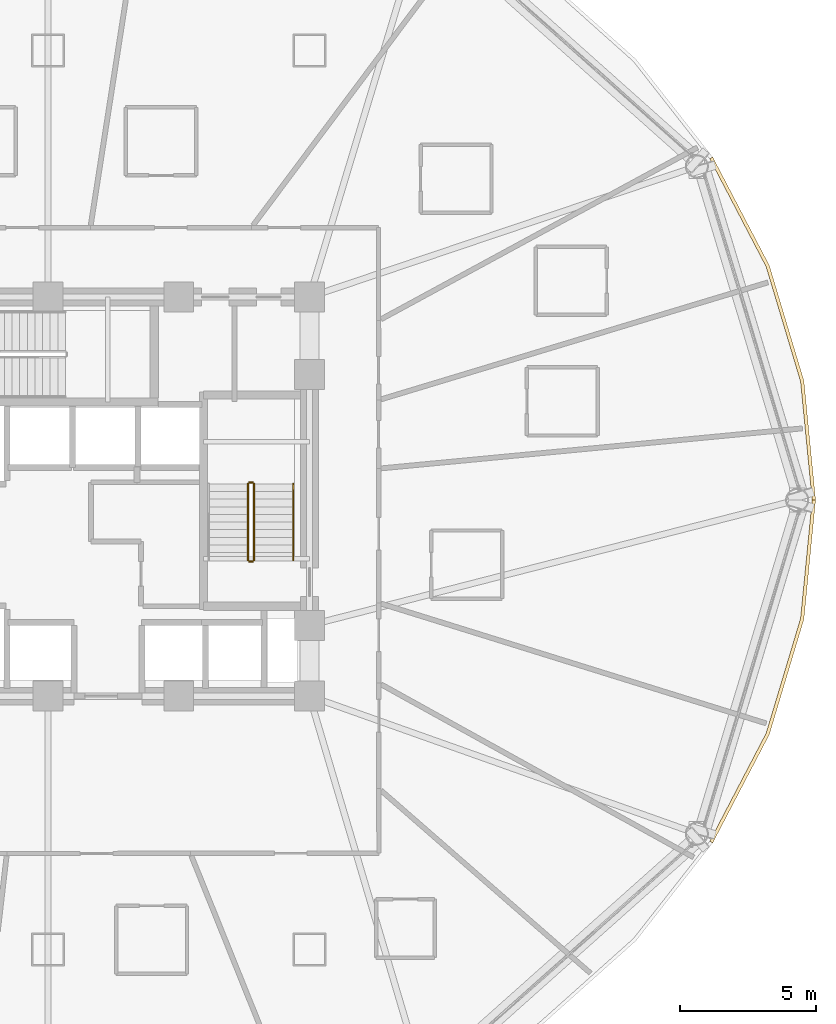
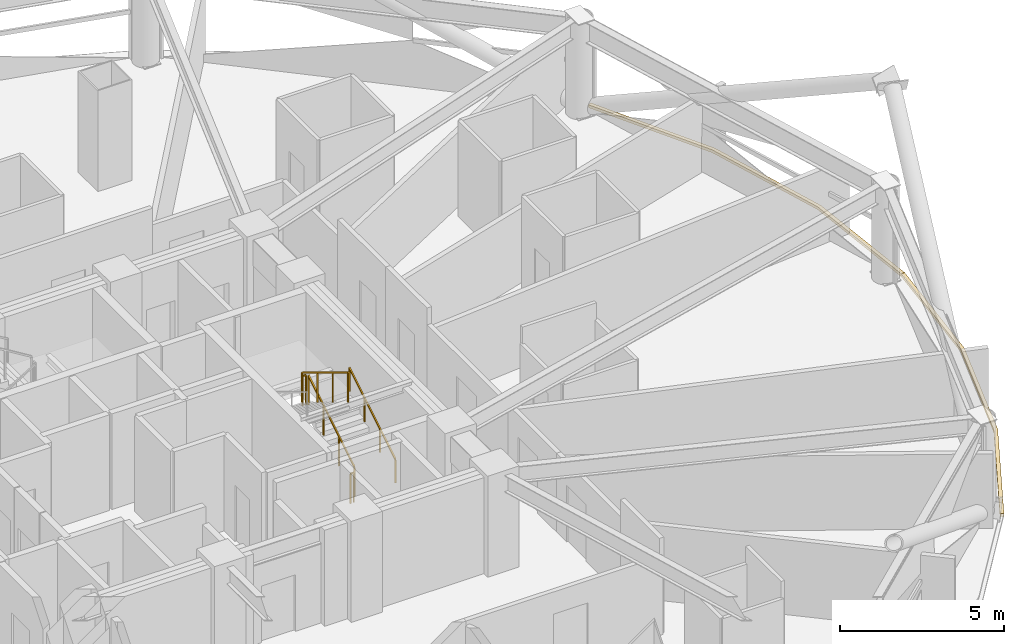
# One storey, part 29 of 30: 5 railings, 2 coverings.
"""IFC4 building model written with IfcOpenShell, lengths in metres."""

import ifcopenshell
import ifcopenshell.guid

model = None  # the IFC model being written
_history = None  # IfcOwnerHistory: only IFC2X3 demands one
_inside = {}  # id of a spatial element -> (the spatial element, [elements in it])
_under = {}  # id of a project, library or spatial element -> (it, [spatial elements below it])
_declared = {}  # id of a project -> (the project, [libraries it declares])
_typed = {}  # id of a type object -> (the type object, [elements of that type])
_made_of = {}  # id of a material, layer set ... -> (it, [elements and type objects made of it])


def new_model(schema):
    """Start an empty IFC model of exactly this schema.

    Asked for "IFC4X3", IfcOpenShell would pick the latest addendum, in which some entities
    have other attributes; the version numbers below select the first issue.
    IFC2X3 requires an IfcOwnerHistory on every rooted entity: one is made here for all.
    """
    global model, _history
    if schema == "IFC4X3":
        model = ifcopenshell.file(schema_version=(4, 3, 0, 0))
    else:
        model = ifcopenshell.file(schema=schema)
    _inside.clear()
    _under.clear()
    _declared.clear()
    _typed.clear()
    _made_of.clear()
    _history = None
    if model.schema == "IFC2X3":
        org = make("IfcOrganization", Name="unknown")
        user = make(
            "IfcPersonAndOrganization",
            ThePerson=make("IfcPerson", FamilyName="unknown"),
            TheOrganization=org,
        )
        app = make(
            "IfcApplication",
            ApplicationDeveloper=org,
            Version="unknown",
            ApplicationFullName="unknown",
            ApplicationIdentifier="unknown",
        )
        _history = make(
            "IfcOwnerHistory",
            OwningUser=user,
            OwningApplication=app,
            ChangeAction="ADDED",
            CreationDate=0,
        )
    return model


def make(cls, **values):
    """One entity of the class cls with the attributes given. An attribute that is None is left unset."""
    return model.create_entity(
        cls, **{name: value for name, value in values.items() if value is not None}
    )


def rooted(cls, **values):
    """An entity with a GlobalId (a new one), such as an element, a storey or a relation."""
    return make(cls, GlobalId=ifcopenshell.guid.new(), OwnerHistory=_history, **values)


def si_unit(unit_type, name, prefix=None):
    """IfcSIUnit, for example si_unit("LENGTHUNIT", "METRE", prefix="MILLI")."""
    return make("IfcSIUnit", UnitType=unit_type, Prefix=prefix, Name=name)


def assignment(units):
    """IfcUnitAssignment: the units of a project."""
    return None if units is None else make("IfcUnitAssignment", Units=units)


def point(xyz):
    """IfcCartesianPoint."""
    return None if xyz is None else make("IfcCartesianPoint", Coordinates=xyz)


def direction(xyz):
    """IfcDirection."""
    return None if xyz is None else make("IfcDirection", DirectionRatios=xyz)


def frame(location, z_axis=None, x_axis=None):
    """IfcAxis2Placement3D, a coordinate frame: its origin and axes. An axis left out is left unset."""
    return make(
        "IfcAxis2Placement3D",
        Location=point(location),
        Axis=direction(z_axis),
        RefDirection=direction(x_axis),
    )


def frame_2d(location, x_axis=None):
    """IfcAxis2Placement2D, a coordinate frame in the plane: its origin and x axis."""
    return make(
        "IfcAxis2Placement2D", Location=point(location), RefDirection=direction(x_axis)
    )


def origin():
    """The frame at (0, 0, 0) with its axes left unset."""
    return frame((0.0, 0.0, 0.0))


def origin_2d():
    """The frame at (0, 0) in the plane with its x axis left unset."""
    return frame_2d((0.0, 0.0))


def place(relative_to, where):
    """IfcLocalPlacement: puts the frame where relative to a parent placement (None: the world)."""
    return make(
        "IfcLocalPlacement", PlacementRelTo=relative_to, RelativePlacement=where
    )


def context(
    kind, dimensions, precision=None, world=None, true_north=None, identifier=None
):
    """IfcGeometricRepresentationContext, for example the 3D "Model" context."""
    return make(
        "IfcGeometricRepresentationContext",
        ContextIdentifier=identifier,
        ContextType=kind,
        CoordinateSpaceDimension=dimensions,
        Precision=precision,
        WorldCoordinateSystem=world,
        TrueNorth=true_north,
    )


def subcontext(parent, identifier, kind, view, scale=None):
    """IfcGeometricRepresentationSubContext, for example "Body" below "Model"."""
    return make(
        "IfcGeometricRepresentationSubContext",
        ContextIdentifier=identifier,
        ContextType=kind,
        ParentContext=parent,
        TargetScale=scale,
        TargetView=view,
    )


def project(units=None, contexts=None):
    """IfcProject with its units and contexts."""
    return rooted(
        "IfcProject",
        Name="project",
        RepresentationContexts=contexts,
        UnitsInContext=assignment(units),
    )


def spatial(cls, under=None, at=None, **own):
    """A site, building, storey or space (cls), placed at a placement, below another one or the project."""
    s = rooted(cls, ObjectPlacement=at, **own)
    if under is not None:
        _under.setdefault(under.id(), (under, []))[1].append(s)
    return s


def polyline(points):
    """IfcPolyline through the points."""
    return make("IfcPolyline", Points=[point(p) for p in points])


def profile(cls, at=None, kind="AREA", **sizes):
    """A parametric profile (cls). Its sizes go by their IFC names, for example OverallWidth=200.0."""
    return make(cls, ProfileType=kind, Position=at, **sizes)


def rectangle(**sizes):
    """IfcRectangleProfileDef."""
    return profile("IfcRectangleProfileDef", **sizes)


def outline(outer, holes=None, kind="AREA"):
    """IfcArbitraryClosedProfileDef: a profile drawn as a closed curve; with holes, ...WithVoids."""
    if holes is None:
        return make("IfcArbitraryClosedProfileDef", ProfileType=kind, OuterCurve=outer)
    return make(
        "IfcArbitraryProfileDefWithVoids",
        ProfileType=kind,
        OuterCurve=outer,
        InnerCurves=holes,
    )


def extrude(swept, where, along, depth):
    """IfcExtrudedAreaSolid: the profile swept, set in the frame where, extruded along a direction by depth."""
    return make(
        "IfcExtrudedAreaSolid",
        SweptArea=swept,
        Position=where,
        ExtrudedDirection=direction(along),
        Depth=depth,
    )


def shape(context_of_items, identifier, shape_type, items):
    """IfcShapeRepresentation: the items that make up one representation, for example the "Body"."""
    return make(
        "IfcShapeRepresentation",
        ContextOfItems=context_of_items,
        RepresentationIdentifier=identifier,
        RepresentationType=shape_type,
        Items=items,
    )


def material(Name=None, Category=None):
    """IfcMaterial."""
    return make("IfcMaterial", Name=Name, Category=Category)


def layer(
    of_material, thickness, ventilated=None, Name=None, Category=None, Priority=None
):
    """IfcMaterialLayer: one layer of a wall or slab, of a material (None: an air gap)."""
    return make(
        "IfcMaterialLayer",
        Material=of_material,
        LayerThickness=thickness,
        IsVentilated=ventilated,
        Name=Name,
        Category=Category,
        Priority=Priority,
    )


def layer_set(layers, Name=None):
    """IfcMaterialLayerSet."""
    return make("IfcMaterialLayerSet", MaterialLayers=layers, LayerSetName=Name)


def made_of(thing, what):
    """Note that an element or type object is made of a material, layer set ...; save() writes the relation."""
    if what is not None:
        _made_of.setdefault(what.id(), (what, []))[1].append(thing)
    return thing


def type_object(cls, material=None, **own):
    """A type object (cls), such as IfcWallType, which elements share."""
    return made_of(rooted(cls, **own), material)


def element(
    cls,
    number,
    at=None,
    inside=None,
    cuts=None,
    type_object=None,
    material=None,
    context=None,
    identifier="Body",
    shape_type=None,
    held_by="IfcProductDefinitionShape",
    body=None,
    shapes=None,
    **own,
):
    """One element of the class cls, such as IfcWall. Its Tag is "e" and its number.

    at: its placement. inside: the storey or other place that contains it. cuts: it is an
    opening in that element (IfcRelVoidsElement). A single representation is given by context,
    identifier, shape_type and body (its items); several are given by shapes. held_by: the class
    of the entity that holds the representations. save() writes the other relations.
    """
    e = rooted(cls, Tag="e%d" % number, ObjectPlacement=at, **own)
    if body is not None:
        shapes = [shape(context, identifier, shape_type, body)]
    if shapes is not None:
        e.Representation = make(held_by, Representations=shapes)
    if inside is not None:
        _inside.setdefault(inside.id(), (inside, []))[1].append(e)
    if cuts is not None:
        rooted(
            "IfcRelVoidsElement", RelatingBuildingElement=cuts, RelatedOpeningElement=e
        )
    if type_object is not None:
        _typed.setdefault(type_object.id(), (type_object, []))[1].append(e)
    return made_of(e, material)


def aggregate(whole, parts):
    """IfcRelAggregates: a whole, such as a stair, and the parts it consists of."""
    return rooted("IfcRelAggregates", RelatingObject=whole, RelatedObjects=parts)


def save(model, path):
    """Write the relations noted so far, then the file.

    IfcRelAggregates (storeys below a building ...), IfcRelContainedInSpatialStructure (elements
    in a storey), IfcRelDefinesByType, IfcRelAssociatesMaterial and IfcRelDeclares: one each for
    every whole, place, type object, material and project.
    """
    for whole, parts in _under.values():
        aggregate(whole, parts)
    for where, things in _inside.values():
        rooted(
            "IfcRelContainedInSpatialStructure",
            RelatedElements=things,
            RelatingStructure=where,
        )
    for kind, things in _typed.values():
        rooted("IfcRelDefinesByType", RelatedObjects=things, RelatingType=kind)
    for what, things in _made_of.values():
        rooted("IfcRelAssociatesMaterial", RelatedObjects=things, RelatingMaterial=what)
    for by, libraries in _declared.values():
        rooted("IfcRelDeclares", RelatingContext=by, RelatedDefinitions=libraries)
    model.write(path)


model = new_model("IFC4")

# Units and contexts
model_context = context("Model", 3, precision=1e-05, world=origin(), true_north=direction((0.0, 1.0)))
body_context = subcontext(model_context, "Body", "Model", "MODEL_VIEW")
ifc_project = project(units=[si_unit("LENGTHUNIT", "METRE"), si_unit("AREAUNIT", "SQUARE_METRE"), si_unit("VOLUMEUNIT", "CUBIC_METRE"), si_unit("PLANEANGLEUNIT", "RADIAN"), si_unit("MASSUNIT", "GRAM", prefix="KILO")], contexts=[model_context])

# Site, building, storey
site_placement = place(None, origin())
site = spatial("IfcSite", under=ifc_project, at=site_placement, CompositionType="ELEMENT")
building_placement = place(site_placement, origin())
building = spatial("IfcBuilding", under=site, at=building_placement, Name="Vantalir Tower", CompositionType="ELEMENT")
storey_placement = place(building_placement, frame((0.0, 0.0, 79.5)))
storey = spatial("IfcBuildingStorey", under=building, at=storey_placement, Name="L19", CompositionType="ELEMENT", Elevation=79.5)

# Coverings
ifc_material_1 = material(Name="Anodised champagne aluminium sill fascia", Category="aluminium")
ifc_layer = layer(ifc_material_1, 0.125)
ifc_layer_set = layer_set([ifc_layer], Name="Anodised champagne aluminium sill fascia")
covering_type = type_object("IfcCoveringType", Name="COV-SLAB-FASCIA-125", PredefinedType="CLADDING", material=ifc_layer_set)
covering_1_placement = place(storey_placement, frame((0.0, 0.0, -0.179931640625)))
element("IfcCovering", 1, at=covering_1_placement, inside=storey, type_object=covering_type, Name="L19 Perimeter Slab-Edge Sill Fascia 01", PredefinedType="CLADDING", context=body_context, shape_type="SweptSolid", body=[
    extrude(outline(polyline([(59.675048828125, 25.0), (59.2470703125, 29.37109375), (57.97607421875, 33.60888671875), (55.89990234375, 37.5849609375), (55.7919921875, 37.52197265625), (57.85791015625, 33.56591796875), (59.1240234375, 29.34912109375), (59.550048828125, 25.0), (59.675048828125, 25.0)])), origin(), (0.0, 0.0, 1.0), 0.10498046875),
])
covering_2_placement = place(storey_placement, frame((0.0, 0.0, -0.179931640625)))
element("IfcCovering", 2, at=covering_2_placement, inside=storey, type_object=covering_type, Name="L19 Perimeter Slab-Edge Sill Fascia 12", PredefinedType="CLADDING", context=body_context, shape_type="SweptSolid", body=[
    extrude(outline(polyline([(55.89990234375, 12.4150390625), (57.97607421875, 16.39111328125), (59.2470703125, 20.62890625), (59.675048828125, 25.0), (59.550048828125, 25.0), (59.1240234375, 20.65087890625), (57.85791015625, 16.43408203125), (55.7919921875, 12.47705078125), (55.89990234375, 12.4150390625)])), origin(), (0.0, 0.0, 1.0), 0.10498046875),
])

# Railings
ifc_material_2 = material(Name="Anodised aluminium and stainless steel guard", Category="steel")
railing_type_1 = type_object("IfcRailingType", Name="RAL-GUARD-1120", PredefinedType="GUARDRAIL", material=ifc_material_2)
railing_1_placement = place(storey_placement, frame((39.06005859375, 22.7900390625, 0.17041015625)))
element("IfcRailing", 3, at=railing_1_placement, inside=storey, type_object=railing_type_1, Name="L19 ST2 stair guard 1", PredefinedType="GUARDRAIL", context=body_context, shape_type="SweptSolid", body=[
    extrude(rectangle(XDim=0.048095703125, YDim=0.048095703125, at=origin_2d()), frame((0.0, 0.0, 1.09619140625), z_axis=(0.0, 0.854169791009, 0.51999420009), x_axis=(-1.0, 0.0, 0.0)), (0.0, 0.0, 1.0), 3.278076171875),
    extrude(rectangle(XDim=0.0419921875, YDim=0.0419921875, at=origin_2d()), origin(), (0.0, 0.0, 1.0), 1.072021484375),
    extrude(rectangle(XDim=0.0419921875, YDim=0.0419921875, at=origin_2d()), frame((0.0, 0.933349609375, 0.568115234375)), (0.0, 0.0, 1.0), 1.072021484375),
    extrude(rectangle(XDim=0.0419921875, YDim=0.0419921875, at=origin_2d()), frame((0.0, 1.86669921875, 1.136474609375)), (0.0, 0.0, 1.0), 1.072021484375),
    extrude(rectangle(XDim=0.0419921875, YDim=0.0419921875, at=origin_2d()), frame((0.0, 2.800048828125, 1.70458984375)), (0.0, 0.0, 1.0), 1.072021484375),
])
railing_2_placement = place(storey_placement, frame((39.010009765625, 25.639892578125, 1.875)))
element("IfcRailing", 4, at=railing_2_placement, inside=storey, type_object=railing_type_1, Name="L19 ST2 stair guard 2", PredefinedType="GUARDRAIL", context=body_context, shape_type="SweptSolid", body=[
    extrude(rectangle(XDim=0.048095703125, YDim=0.048095703125, at=origin_2d()), frame((0.0, 0.0, 1.09619140625), z_axis=(-1.0, 0.0, 0.0), x_axis=(0.0, -1.0, 0.0)), (0.0, 0.0, 1.0), 0.1201171875),
    extrude(rectangle(XDim=0.0419921875, YDim=0.0419921875, at=origin_2d()), origin(), (0.0, 0.0, 1.0), 1.072021484375),
    extrude(rectangle(XDim=0.0419921875, YDim=0.0419921875, at=origin_2d()), frame((-0.1201171875, 0.0, 0.0)), (0.0, 0.0, 1.0), 1.072021484375),
])
railing_3_placement = place(storey_placement, frame((38.840087890625, 25.590087890625, 2.04541015625)))
element("IfcRailing", 5, at=railing_3_placement, inside=storey, type_object=railing_type_1, Name="L19 ST2 stair guard 3", PredefinedType="GUARDRAIL", context=body_context, shape_type="SweptSolid", body=[
    extrude(rectangle(XDim=0.048095703125, YDim=0.048095703125, at=origin_2d()), frame((0.0, 0.0, 1.09619140625), z_axis=(0.0, -0.854169791009, 0.51999420009), x_axis=(1.0, 0.0, 0.0)), (0.0, 0.0, 1.0), 3.278076171875),
    extrude(rectangle(XDim=0.0419921875, YDim=0.0419921875, at=origin_2d()), origin(), (0.0, 0.0, 1.0), 1.072021484375),
    extrude(rectangle(XDim=0.0419921875, YDim=0.0419921875, at=origin_2d()), frame((0.0, -0.933349609375, 0.568115234375)), (0.0, 0.0, 1.0), 1.072021484375),
    extrude(rectangle(XDim=0.0419921875, YDim=0.0419921875, at=origin_2d()), frame((0.0, -1.86669921875, 1.136474609375)), (0.0, 0.0, 1.0), 1.072021484375),
    extrude(rectangle(XDim=0.0419921875, YDim=0.0419921875, at=origin_2d()), frame((0.0, -2.800048828125, 1.70458984375)), (0.0, 0.0, 1.0), 1.072021484375),
])
railing_4_placement = place(storey_placement, frame((39.010009765625, 22.739990234375, 0.0)))
element("IfcRailing", 6, at=railing_4_placement, inside=storey, type_object=railing_type_1, Name="L19 ST2 stair guard 4", PredefinedType="GUARDRAIL", context=body_context, shape_type="SweptSolid", body=[
    extrude(rectangle(XDim=0.048095703125, YDim=0.048095703125, at=origin_2d()), frame((0.0, 0.0, 1.09619140625), z_axis=(-1.0, 0.0, 0.0), x_axis=(0.0, -1.0, 0.0)), (0.0, 0.0, 1.0), 0.1201171875),
    extrude(rectangle(XDim=0.0419921875, YDim=0.0419921875, at=origin_2d()), origin(), (0.0, 0.0, 1.0), 1.072021484375),
    extrude(rectangle(XDim=0.0419921875, YDim=0.0419921875, at=origin_2d()), frame((-0.1201171875, 0.0, 0.0)), (0.0, 0.0, 1.0), 1.072021484375),
])
ifc_material_3 = material(Name="Brushed stainless steel tubular handrail", Category="steel")
railing_type_2 = type_object("IfcRailingType", Name="RAL-HANDRAIL-900", PredefinedType="HANDRAIL", material=ifc_material_3)
railing_5_placement = place(storey_placement, frame((40.5, 22.7900390625, 0.17041015625)))
element("IfcRailing", 7, at=railing_5_placement, inside=storey, type_object=railing_type_2, Name="L19 ST2 stair handrail 1", PredefinedType="HANDRAIL", context=body_context, shape_type="SweptSolid", body=[
    extrude(rectangle(XDim=0.048095703125, YDim=0.048095703125, at=origin_2d()), frame((0.0, 0.0, 0.8759765625), z_axis=(0.0, 0.854169791009, 0.51999420009), x_axis=(-1.0, 0.0, 0.0)), (0.0, 0.0, 1.0), 3.278076171875),
    extrude(rectangle(XDim=0.0419921875, YDim=0.0419921875, at=origin_2d()), origin(), (0.0, 0.0, 1.0), 0.851806640625),
    extrude(rectangle(XDim=0.0419921875, YDim=0.0419921875, at=origin_2d()), frame((0.0, 0.933349609375, 0.568115234375)), (0.0, 0.0, 1.0), 0.851806640625),
    extrude(rectangle(XDim=0.0419921875, YDim=0.0419921875, at=origin_2d()), frame((0.0, 1.86669921875, 1.136474609375)), (0.0, 0.0, 1.0), 0.851806640625),
    extrude(rectangle(XDim=0.0419921875, YDim=0.0419921875, at=origin_2d()), frame((0.0, 2.800048828125, 1.70458984375)), (0.0, 0.0, 1.0), 0.851806640625),
])

save(model, "model.ifc")
